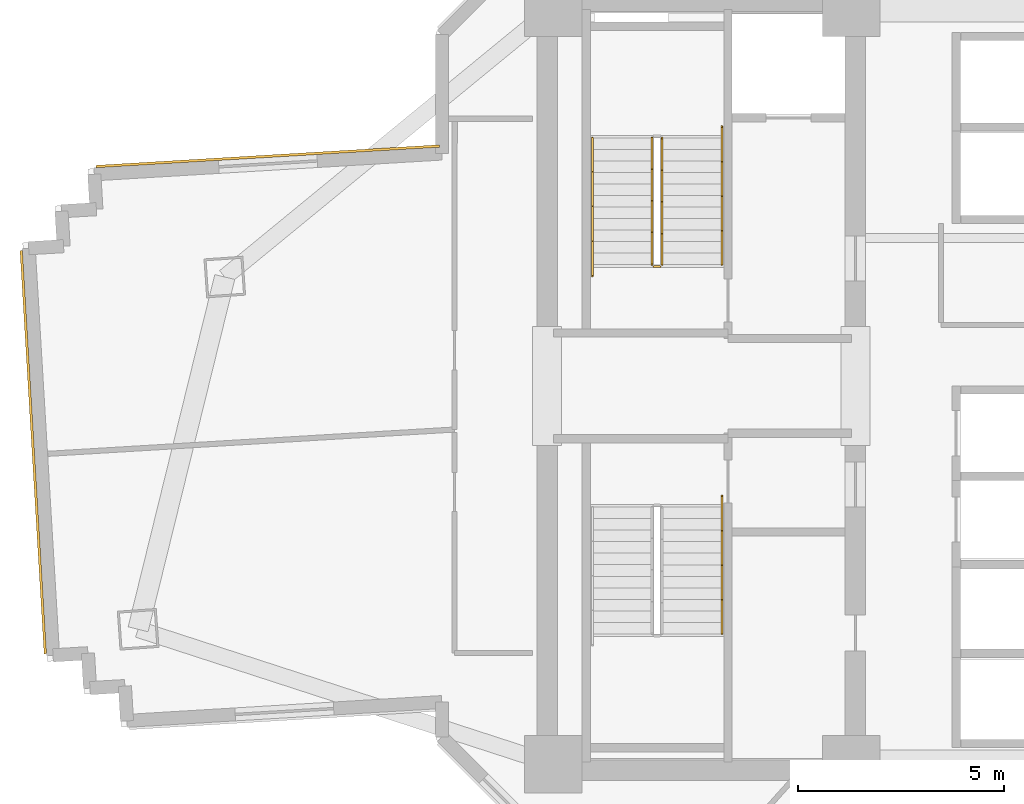
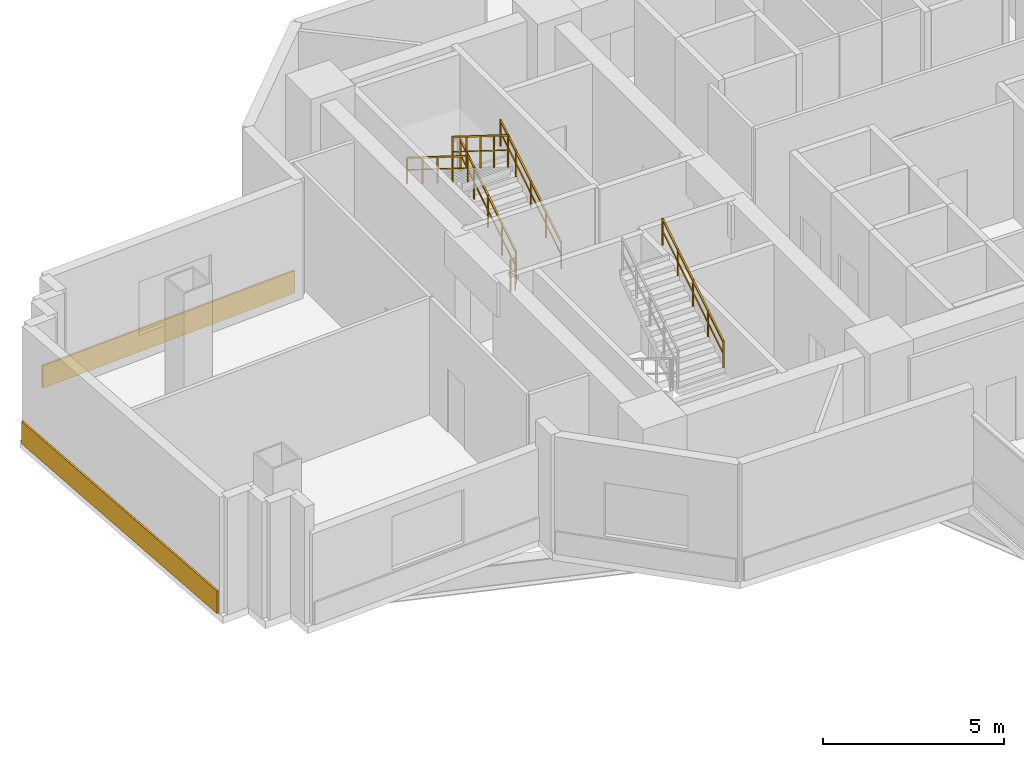
# One storey, part 12 of 15: 6 railings, 2 coverings.
"""IFC4 building model written with IfcOpenShell, lengths in metres."""

from ifc_helpers import new_model, si_unit, direction, frame, origin, origin_2d, place, context, subcontext, project, spatial, rectangle, extrude, source, transform, mapped, material, layer, layer_set, type_object, element, save


model = new_model("IFC4")

# Units and contexts
model_context = context("Model", 3, precision=1e-05, world=origin(), true_north=direction((0.0, 1.0)))
body_context = subcontext(model_context, "Body", "Model", "MODEL_VIEW")
ifc_project = project(units=[si_unit("LENGTHUNIT", "METRE"), si_unit("AREAUNIT", "SQUARE_METRE"), si_unit("VOLUMEUNIT", "CUBIC_METRE"), si_unit("PLANEANGLEUNIT", "RADIAN"), si_unit("MASSUNIT", "GRAM", prefix="KILO")], contexts=[model_context])

# Site, building, storey
site_placement = place(None, origin())
site = spatial("IfcSite", under=ifc_project, at=site_placement, CompositionType="ELEMENT")
building_placement = place(site_placement, origin())
building = spatial("IfcBuilding", under=site, at=building_placement, Name="Zahravan Cultural Tower", CompositionType="ELEMENT")
storey_placement = place(building_placement, frame((0.0, 0.0, 66.89990234375)))
storey = spatial("IfcBuildingStorey", under=building, at=storey_placement, Name="L14", CompositionType="ELEMENT", Elevation=66.89990234375)

# Railings
ifc_material_1 = material(Name="Steel ASTM A572 Grade 50", Category="steel")
railing_type_1 = type_object("IfcRailingType", Name="RL-STAIR-GRD1150", PredefinedType="BALUSTRADE", material=ifc_material_1)
railing_1_placement = place(storey_placement, frame((24.300048828125, 29.949951171875, 0.175048828125)))
element("IfcRailing", 1, at=railing_1_placement, inside=storey, type_object=railing_type_1, Name="L14 ST-W1 stair guard 1", PredefinedType="BALUSTRADE", context=body_context, shape_type="SweptSolid", body=[
    extrude(rectangle(XDim=0.05, YDim=0.05, at=origin_2d()), frame((0.0, 0.0, 1.0751953125), z_axis=(0.0, 0.847998304005, 0.529998940003), x_axis=(-1.0, 0.0, 0.0)), (0.0, 0.0, 1.0), 3.632080078125),
    extrude(rectangle(XDim=0.032, YDim=0.032, at=origin_2d()), frame((0.0, 0.0, 0.572021484375), z_axis=(0.0, 0.847998304005, 0.529998940003), x_axis=(-1.0, 0.0, 0.0)), (0.0, 0.0, 1.0), 3.632080078125),
    extrude(rectangle(XDim=0.04, YDim=0.04, at=origin_2d()), origin(), (0.0, 0.0, 1.0), 1.10009765625),
    extrude(rectangle(XDim=0.04, YDim=0.04, at=origin_2d()), frame((0.0, 0.77001953125, 0.481201171875)), (0.0, 0.0, 1.0), 1.10009765625),
    extrude(rectangle(XDim=0.04, YDim=0.04, at=origin_2d()), frame((0.0, 1.5400390625, 0.96240234375)), (0.0, 0.0, 1.0), 1.10009765625),
    extrude(rectangle(XDim=0.04, YDim=0.04, at=origin_2d()), frame((0.0, 2.31005859375, 1.44384765625)), (0.0, 0.0, 1.0), 1.10009765625),
    extrude(rectangle(XDim=0.04, YDim=0.04, at=origin_2d()), frame((0.0, 3.080078125, 1.925048828125)), (0.0, 0.0, 1.0), 1.10009765625),
])
railing_2_placement = place(storey_placement, frame((24.050048828125, 33.030029296875, 2.275146484375)))
element("IfcRailing", 2, at=railing_2_placement, inside=storey, type_object=railing_type_1, Name="L14 ST-W1 stair guard 3", PredefinedType="BALUSTRADE", context=body_context, shape_type="SweptSolid", body=[
    extrude(rectangle(XDim=0.05, YDim=0.05, at=origin_2d()), frame((0.0, 0.0, 1.0751953125), z_axis=(0.0, -0.847998304005, 0.529998940003), x_axis=(1.0, 0.0, 0.0)), (0.0, 0.0, 1.0), 3.632080078125),
    extrude(rectangle(XDim=0.032, YDim=0.032, at=origin_2d()), frame((0.0, 0.0, 0.572021484375), z_axis=(0.0, -0.847998304005, 0.529998940003), x_axis=(1.0, 0.0, 0.0)), (0.0, 0.0, 1.0), 3.632080078125),
    extrude(rectangle(XDim=0.04, YDim=0.04, at=origin_2d()), origin(), (0.0, 0.0, 1.0), 1.10009765625),
    extrude(rectangle(XDim=0.04, YDim=0.04, at=origin_2d()), frame((0.0, -0.77001953125, 0.481201171875)), (0.0, 0.0, 1.0), 1.10009765625),
    extrude(rectangle(XDim=0.04, YDim=0.04, at=origin_2d()), frame((0.0, -1.5400390625, 0.96240234375)), (0.0, 0.0, 1.0), 1.10009765625),
    extrude(rectangle(XDim=0.04, YDim=0.04, at=origin_2d()), frame((0.0, -2.31005859375, 1.44384765625)), (0.0, 0.0, 1.0), 1.10009765625),
    extrude(rectangle(XDim=0.04, YDim=0.04, at=origin_2d()), frame((0.0, -3.080078125, 1.925048828125)), (0.0, 0.0, 1.0), 1.10009765625),
])
railing_3_placement = place(storey_placement, frame((24.25, 29.89990234375, 0.0)))
element("IfcRailing", 3, at=railing_3_placement, inside=storey, type_object=railing_type_1, Name="L14 ST-W1 stair guard 4", PredefinedType="BALUSTRADE", context=body_context, shape_type="SweptSolid", body=[
    extrude(rectangle(XDim=0.05, YDim=0.05, at=origin_2d()), frame((0.0, 0.0, 1.0751953125), z_axis=(-1.0, 0.0, 0.0), x_axis=(0.0, -1.0, 0.0)), (0.0, 0.0, 1.0), 0.14990234375),
    extrude(rectangle(XDim=0.032, YDim=0.032, at=origin_2d()), frame((0.0, 0.0, 0.572021484375), z_axis=(-1.0, 0.0, 0.0), x_axis=(0.0, -1.0, 0.0)), (0.0, 0.0, 1.0), 0.14990234375),
    extrude(rectangle(XDim=0.04, YDim=0.04, at=origin_2d()), origin(), (0.0, 0.0, 1.0), 1.10009765625),
    extrude(rectangle(XDim=0.04, YDim=0.04, at=origin_2d()), frame((-0.14990234375, 0.0, 0.0)), (0.0, 0.0, 1.0), 1.10009765625),
])
railing_type_2 = type_object("IfcRailingType", Name="RL-STAIR-HR900", PredefinedType="HANDRAIL", material=ifc_material_1)
railing_4_placement = place(storey_placement, frame((25.75, 29.949951171875, 0.175048828125)))
element("IfcRailing", 4, at=railing_4_placement, inside=storey, type_object=railing_type_2, Name="L14 ST-W1 stair handrail 1", PredefinedType="HANDRAIL", context=body_context, shape_type="SweptSolid", body=[
    extrude(rectangle(XDim=0.05, YDim=0.05, at=origin_2d()), frame((0.0, 0.0, 0.875), z_axis=(0.0, 0.847994842521, 0.530004478338), x_axis=(-1.0, 0.0, 0.0)), (0.0, 0.0, 1.0), 3.96240234375),
    extrude(rectangle(XDim=0.032, YDim=0.032, at=origin_2d()), frame((0.0, 0.0, 0.468017578125), z_axis=(0.0, 0.847994842521, 0.530004478338), x_axis=(-1.0, 0.0, 0.0)), (0.0, 0.0, 1.0), 3.96240234375),
    extrude(rectangle(XDim=0.04, YDim=0.04, at=origin_2d()), origin(), (0.0, 0.0, 1.0), 0.89990234375),
    extrude(rectangle(XDim=0.04, YDim=0.04, at=origin_2d()), frame((0.0, 0.840087890625, 0.52490234375)), (0.0, 0.0, 1.0), 0.89990234375),
    extrude(rectangle(XDim=0.04, YDim=0.04, at=origin_2d()), frame((0.0, 1.68017578125, 1.050048828125)), (0.0, 0.0, 1.0), 0.89990234375),
    extrude(rectangle(XDim=0.04, YDim=0.04, at=origin_2d()), frame((0.0, 2.52001953125, 1.5751953125)), (0.0, 0.0, 1.0), 0.89990234375),
    extrude(rectangle(XDim=0.04, YDim=0.04, at=origin_2d()), frame((0.0, 3.360107421875, 2.10009765625)), (0.0, 0.0, 1.0), 0.89990234375),
])
railing_5_placement = place(storey_placement, frame((22.60009765625, 33.030029296875, 2.275146484375)))
element("IfcRailing", 5, at=railing_5_placement, inside=storey, type_object=railing_type_2, Name="L14 ST-W1 stair handrail 2", PredefinedType="HANDRAIL", context=body_context, shape_type="SweptSolid", body=[
    extrude(rectangle(XDim=0.05, YDim=0.05, at=origin_2d()), frame((0.0, 0.0, 0.875), z_axis=(0.0, -0.848022534174, 0.529960169762), x_axis=(1.0, 0.0, 0.0)), (0.0, 0.0, 1.0), 3.96240234375),
    extrude(rectangle(XDim=0.032, YDim=0.032, at=origin_2d()), frame((0.0, 0.0, 0.468017578125), z_axis=(0.0, -0.848022534174, 0.529960169762), x_axis=(1.0, 0.0, 0.0)), (0.0, 0.0, 1.0), 3.96240234375),
    extrude(rectangle(XDim=0.04, YDim=0.04, at=origin_2d()), origin(), (0.0, 0.0, 1.0), 0.89990234375),
    extrude(rectangle(XDim=0.04, YDim=0.04, at=origin_2d()), frame((0.0, -0.840087890625, 0.52490234375)), (0.0, 0.0, 1.0), 0.89990234375),
    extrude(rectangle(XDim=0.04, YDim=0.04, at=origin_2d()), frame((0.0, -1.68017578125, 1.0498046875)), (0.0, 0.0, 1.0), 0.89990234375),
    extrude(rectangle(XDim=0.04, YDim=0.04, at=origin_2d()), frame((0.0, -2.52001953125, 1.574951171875)), (0.0, 0.0, 1.0), 0.89990234375),
    extrude(rectangle(XDim=0.04, YDim=0.04, at=origin_2d()), frame((0.0, -3.360107421875, 2.099853515625)), (0.0, 0.0, 1.0), 0.89990234375),
])
railing_6_placement = place(storey_placement, frame((25.75, 20.969970703125, 2.275146484375)))
element("IfcRailing", 6, at=railing_6_placement, inside=storey, type_object=railing_type_2, Name="L14 ST-W2 stair handrail 2", PredefinedType="HANDRAIL", context=body_context, shape_type="SweptSolid", body=[
    extrude(rectangle(XDim=0.05, YDim=0.05, at=origin_2d()), frame((0.0, 0.0, 0.875), z_axis=(0.0, 0.848022534174, 0.529960169762), x_axis=(-1.0, 0.0, 0.0)), (0.0, 0.0, 1.0), 3.96240234375),
    extrude(rectangle(XDim=0.032, YDim=0.032, at=origin_2d()), frame((0.0, 0.0, 0.468017578125), z_axis=(0.0, 0.848022534174, 0.529960169762), x_axis=(-1.0, 0.0, 0.0)), (0.0, 0.0, 1.0), 3.96240234375),
    extrude(rectangle(XDim=0.04, YDim=0.04, at=origin_2d()), origin(), (0.0, 0.0, 1.0), 0.89990234375),
    extrude(rectangle(XDim=0.04, YDim=0.04, at=origin_2d()), frame((0.0, 0.840087890625, 0.52490234375)), (0.0, 0.0, 1.0), 0.89990234375),
    extrude(rectangle(XDim=0.04, YDim=0.04, at=origin_2d()), frame((0.0, 1.68017578125, 1.0498046875)), (0.0, 0.0, 1.0), 0.89990234375),
    extrude(rectangle(XDim=0.04, YDim=0.04, at=origin_2d()), frame((0.0, 2.52001953125, 1.574951171875)), (0.0, 0.0, 1.0), 0.89990234375),
    extrude(rectangle(XDim=0.04, YDim=0.04, at=origin_2d()), frame((0.0, 3.360107421875, 2.099853515625)), (0.0, 0.0, 1.0), 0.89990234375),
])

# Coverings
ifc_material_2 = material(Name="Terracotta ceramic cladding", Category="masonry")
ifc_layer = layer(ifc_material_2, 0.06005859375)
ifc_layer_set = layer_set([ifc_layer], Name="Terracotta ceramic cladding")
covering_type = type_object("IfcCoveringType", Name="COV-CLAD-TC60", PredefinedType="CLADDING", material=ifc_layer_set)
shared_shape_1 = source(origin(), body_context, "Body", "SweptSolid", [
    extrude(rectangle(XDim=9.820068359375, YDim=0.06005859375, at=origin_2d()), origin(), (0.0, 0.0, 1.0), 0.760009765625),
])
covering_1_placement = place(storey_placement, frame((9.003173828125, 25.38671875, 0.02001953125), z_axis=(0.0, 0.0, 1.0), x_axis=(-0.05965482139, 0.998219065278, 0.0)))
element("IfcCovering", 7, at=covering_1_placement, inside=storey, type_object=covering_type, Name="L14 Terracotta Spandrel Cladding 33", PredefinedType="CLADDING", context=body_context, shape_type="MappedRepresentation", body=[
    mapped(shared_shape_1, transform((0.0, 0.0, 0.0), x_axis=(1.0, 0.0, 0.0), y_axis=(0.0, 1.0, 0.0), z_axis=(0.0, 0.0, 1.0), scale=1.0)),
])
shared_shape_2 = source(origin(), body_context, "Body", "SweptSolid", [
    extrude(rectangle(XDim=8.36767578125, YDim=0.06005859375, at=origin_2d()), origin(), (0.0, 0.0, 1.0), 0.760009765625),
])
covering_2_placement = place(storey_placement, frame((14.70263671875, 32.58447265625, 0.02001953125), z_axis=(0.0, 0.0, 1.0), x_axis=(0.998219065278, 0.05965482139, 0.0)))
element("IfcCovering", 8, at=covering_2_placement, inside=storey, type_object=covering_type, Name="L14 Terracotta Spandrel Cladding 38", PredefinedType="CLADDING", context=body_context, shape_type="MappedRepresentation", body=[
    mapped(shared_shape_2, transform((0.0, 0.0, 0.0), x_axis=(1.0, 0.0, 0.0), y_axis=(0.0, 1.0, 0.0), z_axis=(0.0, 0.0, 1.0), scale=1.0)),
])

save(model, "model.ifc")
